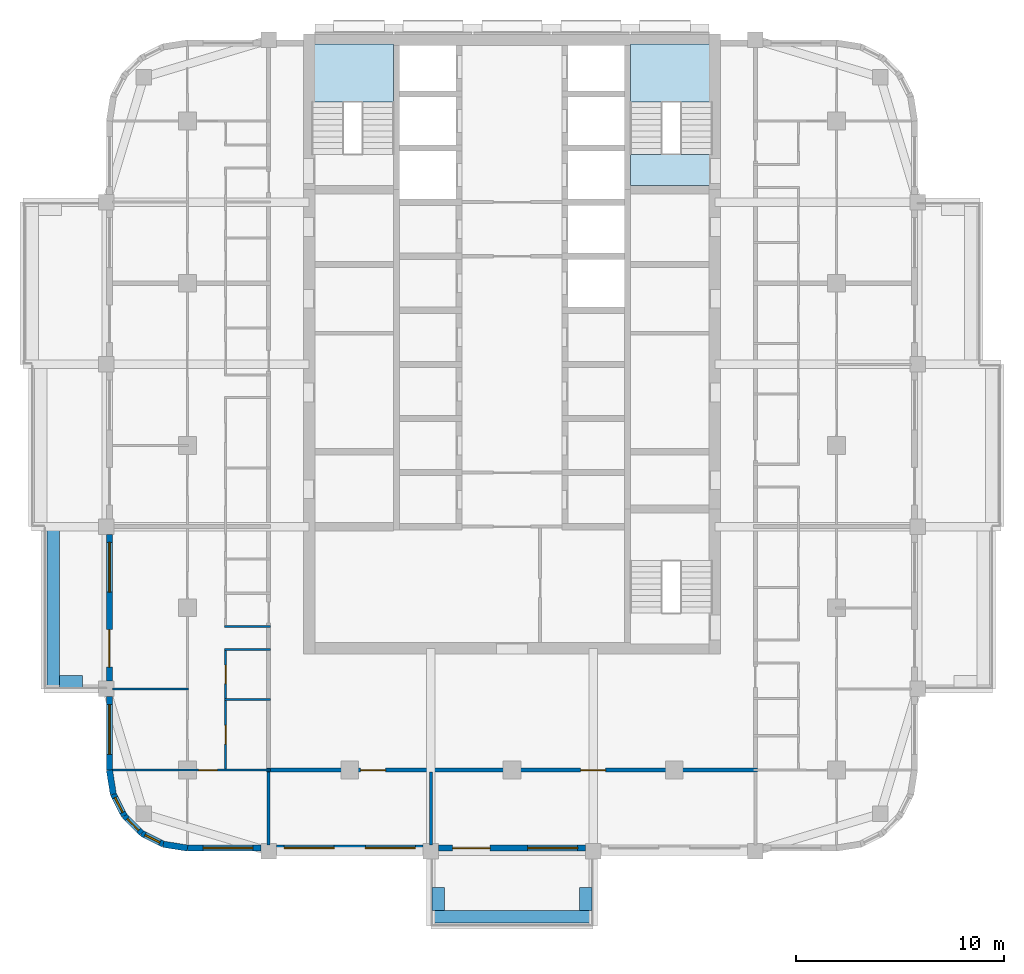
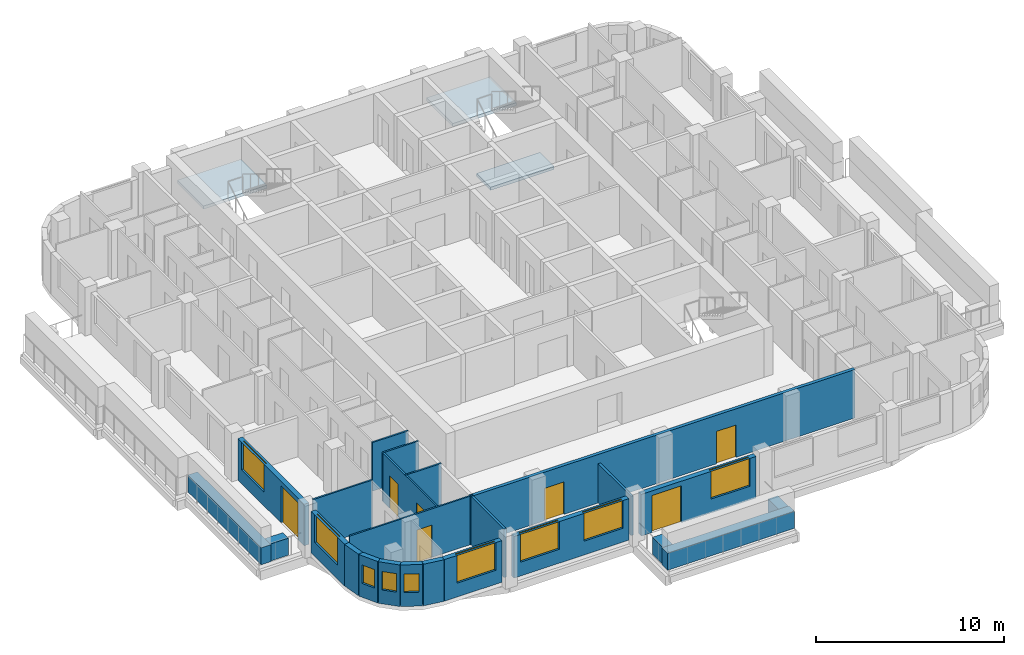
# One storey, part 2 of 13: 24 walls, 9 windows, 7 doors, 3 slabs, 16 openings, 2 elements without a shape of their own.
"""IFC4 building model written with IfcOpenShell, lengths in metres."""

from ifc_helpers import new_model, si_unit, direction, frame, frame_2d, origin, place, context, subcontext, project, spatial, polyline, rectangle, outline, extrude, material, layer, layer_set, type_object, element, fill, aggregate, save


model = new_model("IFC4")

# Units and contexts
model_context = context("Model", 3, precision=1e-05, world=origin(), true_north=direction((0.0, 1.0)))
body_context = subcontext(model_context, "Body", "Model", "MODEL_VIEW")
ifc_project = project(units=[si_unit("LENGTHUNIT", "METRE"), si_unit("AREAUNIT", "SQUARE_METRE"), si_unit("VOLUMEUNIT", "CUBIC_METRE"), si_unit("PLANEANGLEUNIT", "RADIAN"), si_unit("MASSUNIT", "GRAM", prefix="KILO")], contexts=[model_context])

# Site, building, storey
site_placement = place(None, origin())
site = spatial("IfcSite", under=ifc_project, at=site_placement, CompositionType="ELEMENT")
building_placement = place(site_placement, origin())
building = spatial("IfcBuilding", under=site, at=building_placement, Name="Ludao Terraces", CompositionType="ELEMENT")
storey_placement = place(building_placement, frame((0.0, 0.0, 162.199951171875)))
storey = spatial("IfcBuildingStorey", under=building, at=storey_placement, Name="L44", CompositionType="ELEMENT", Elevation=162.199951171875)

# Stair, slab
ifc_material_1 = material(Name="Concrete C40", Category="concrete")
stair_type = type_object("IfcStairType", Name="INT Stair", PredefinedType="HALF_TURN_STAIR", material=ifc_material_1)
stair_1_placement = place(storey_placement, origin())
stair_1 = element("IfcStair", 1, at=stair_1_placement, inside=storey, type_object=stair_type, Name="EXIT STAIR 1", PredefinedType="HALF_TURN_STAIR")
ifc_layer_1 = layer(ifc_material_1, 0.199951171875)
ifc_layer_set_1 = layer_set([ifc_layer_1], Name="INT Stair landing 200")
slab_type = type_object("IfcSlabType", Name="INT Stair landing 200", PredefinedType="LANDING", material=ifc_layer_set_1)
slab_1_placement = place(storey_placement, frame((0.0, 0.0, 1.5)))
slab_1 = element("IfcSlab", 2, at=slab_1_placement, type_object=slab_type, Name="ST1 landing 1", PredefinedType="LANDING", context=body_context, shape_type="SweptSolid", body=[
    extrude(outline(polyline([(75.39990234375, 81.52001953125), (79.300048828125, 81.52001953125), (79.300048828125, 84.300048828125), (75.39990234375, 84.300048828125), (75.39990234375, 81.52001953125)])), origin(), (0.0, 0.0, 1.0), 0.199951171875),
])
aggregate(stair_1, [slab_1])

# Stair, slabs
stair_2_placement = place(storey_placement, origin())
stair_2 = element("IfcStair", 3, at=stair_2_placement, inside=storey, type_object=stair_type, Name="EXIT STAIR 2", PredefinedType="HALF_TURN_STAIR")
slab_2_placement = place(storey_placement, frame((0.0, 0.0, 1.5)))
slab_2 = element("IfcSlab", 4, at=slab_2_placement, type_object=slab_type, Name="ST2 landing 1", PredefinedType="LANDING", context=body_context, shape_type="SweptSolid", body=[
    extrude(outline(polyline([(90.699951171875, 81.52001953125), (94.60009765625, 81.52001953125), (94.60009765625, 84.300048828125), (90.699951171875, 84.300048828125), (90.699951171875, 81.52001953125)])), origin(), (0.0, 0.0, 1.0), 0.199951171875),
])
slab_3_placement = place(storey_placement, frame((0.0, 0.0, -0.199951171875)))
slab_3 = element("IfcSlab", 5, at=slab_3_placement, type_object=slab_type, Name="ST2 landing 2", PredefinedType="LANDING", context=body_context, shape_type="SweptSolid", body=[
    extrude(outline(polyline([(90.699951171875, 77.5), (94.60009765625, 77.5), (94.60009765625, 79.0), (90.699951171875, 79.0), (90.699951171875, 77.5)])), origin(), (0.0, 0.0, 1.0), 0.199951171875),
])
aggregate(stair_2, [slab_2, slab_3])

# Walls
ifc_layer_2 = layer(ifc_material_1, 0.60009765625)
ifc_layer_set_2 = layer_set([ifc_layer_2], Name="ENV Planter trough 600")
wall_type_1 = type_object("IfcWallType", Name="ENV Planter trough 600", PredefinedType="USERDEFINED", material=ifc_layer_set_2)
wall_1_placement = place(storey_placement, frame((81.10009765625, 42.35009765625, 0.0), z_axis=(0.0, 0.0, 1.0), x_axis=(1.0, 0.0, 0.0)))
element("IfcWall", 6, at=wall_1_placement, inside=storey, type_object=wall_type_1, Name="PL-L44-S1", ObjectType="PLANTER", PredefinedType="USERDEFINED", context=body_context, shape_type="SweptSolid", body=[
    extrude(rectangle(XDim=7.7998046875, YDim=0.60009765625, at=frame_2d((3.89990234375, 0.0))), origin(), (0.0, 0.0, 1.0), 1.10009765625),
])
for number, where, z_axis, x_axis, name in (
    (7, (81.449951171875, 42.64990234375, 0.0), (0.0, 0.0, 1.0), (0.0, 1.0, 0.0), "PL-L44-S1-SA"),
    (8, (88.550048828125, 42.64990234375, 0.0), (0.0, 0.0, 1.0), (0.0, 1.0, 0.0), "PL-L44-S1-SB"),
):
    element("IfcWall", number, at=place(storey_placement, frame(where, z_axis=z_axis, x_axis=x_axis)), inside=storey, type_object=wall_type_1, Name=name, ObjectType="PLANTER", PredefinedType="USERDEFINED", context=body_context, shape_type="SweptSolid", body=[
        extrude(rectangle(XDim=1.10009765625, YDim=0.60009765625, at=frame_2d((0.550048828125, 0.0))), origin(), (0.0, 0.0, 1.0), 1.10009765625),
    ])
wall_2_placement = place(storey_placement, frame((62.949951171875, 53.300048828125, 0.0), z_axis=(0.0, 0.0, 1.0), x_axis=(0.0, 1.0, 0.0)))
element("IfcWall", 9, at=wall_2_placement, inside=storey, type_object=wall_type_1, Name="PL-L44-W1", ObjectType="PLANTER", PredefinedType="USERDEFINED", context=body_context, shape_type="SweptSolid", body=[
    extrude(rectangle(XDim=7.800048828125, YDim=0.60009765625, at=frame_2d((3.89990234375, 0.0))), origin(), (0.0, 0.0, 1.0), 1.10009765625),
])
wall_3_placement = place(storey_placement, frame((63.25, 53.64990234375, 0.0), z_axis=(0.0, 0.0, 1.0), x_axis=(1.0, 0.0, 0.0)))
element("IfcWall", 10, at=wall_3_placement, inside=storey, type_object=wall_type_1, Name="PL-L44-W1-SA", ObjectType="PLANTER", PredefinedType="USERDEFINED", context=body_context, shape_type="SweptSolid", body=[
    extrude(rectangle(XDim=1.10009765625, YDim=0.60009765625, at=frame_2d((0.550048828125, 0.0))), origin(), (0.0, 0.0, 1.0), 1.10009765625),
])

# Wall, opening, window
ifc_material_2 = material(Name="Granite cladding", Category="masonry")
ifc_layer_3 = layer(ifc_material_2, 0.0400390625, Category="stone")
ifc_material_3 = material(Name="Mineral wool")
ifc_layer_4 = layer(ifc_material_3, 0.06005859375)
ifc_layer_5 = layer(ifc_material_1, 0.199951171875, Category="concrete")
ifc_layer_set_3 = layer_set([ifc_layer_3, ifc_layer_4, ifc_layer_5], Name="ENV Stone-clad wall 300")
wall_type_2 = type_object("IfcWallType", Name="ENV Stone-clad wall 300", PredefinedType="SOLIDWALL", material=ifc_layer_set_3)
wall_4_placement = place(storey_placement, frame((69.39990234375, 45.64990234375, 0.0), z_axis=(0.0, 0.0, 1.0), x_axis=(1.0, 0.0, 0.0)))
wall_4 = element("IfcWall", 11, at=wall_4_placement, inside=storey, type_object=wall_type_2, Name="EW-L44-S1", PredefinedType="SOLIDWALL", context=body_context, shape_type="SweptSolid", body=[
    extrude(rectangle(XDim=3.525146484375, YDim=0.300048828125, at=frame_2d((1.7626953125, 0.0))), origin(), (0.0, 0.0, 1.0), 2.699951171875),
])
opening_1_placement = place(wall_4_placement, frame((0.75, 0.0, 0.89990234375)))
opening_1 = element("IfcOpeningElement", 12, at=opening_1_placement, cuts=wall_4, Name="Opening W1", PredefinedType="OPENING", context=body_context, shape_type="SweptSolid", body=[
    extrude(rectangle(XDim=2.39990234375, YDim=1.800048828125, at=frame_2d((1.199951171875, 0.89990234375))), frame((0.0, 0.16015625, 0.0), z_axis=(0.0, -1.0, 0.0), x_axis=(1.0, 0.0, 0.0)), (0.0, 0.0, 1.0), 0.320068359375),
])
ifc_material_4 = material(Name="Clear glass in aluminium frame", Category="aluminium")
ifc_layer_6 = layer(ifc_material_4, 0.06005859375)
ifc_layer_set_4 = layer_set([ifc_layer_6], Name="ENV Window W1 2400x1800")
window_type_1 = type_object("IfcWindowType", Name="ENV Window W1 2400x1800", PartitioningType="DOUBLE_PANEL_VERTICAL", PredefinedType="WINDOW", material=ifc_layer_set_4)
window_1_placement = place(opening_1_placement, origin())
window_1 = element("IfcWindow", 13, at=window_1_placement, inside=storey, type_object=window_type_1, Name="W-L44-S1-1", OverallHeight=1.800048828125, OverallWidth=2.39990234375, PartitioningType="DOUBLE_PANEL_VERTICAL", PredefinedType="WINDOW", context=body_context, shape_type="SweptSolid", body=[
    extrude(rectangle(XDim=2.39990234375, YDim=1.800048828125, at=frame_2d((1.199951171875, 0.89990234375))), frame((0.0, 0.030029296875, 0.0), z_axis=(0.0, -1.0, 0.0), x_axis=(1.0, 0.0, 0.0)), (0.0, 0.0, 1.0), 0.06005859375),
])
fill(opening_1, window_1)

# Wall, openings, windows
wall_5_placement = place(storey_placement, frame((73.675048828125, 45.64990234375, 0.0), z_axis=(0.0, 0.0, 1.0), x_axis=(1.0, 0.0, 0.0)))
wall_5 = element("IfcWall", 14, at=wall_5_placement, inside=storey, type_object=wall_type_2, Name="EW-L44-S2", PredefinedType="SOLIDWALL", context=body_context, shape_type="SweptSolid", body=[
    extrude(rectangle(XDim=7.050048828125, YDim=0.300048828125, at=frame_2d((3.52490234375, 0.0))), origin(), (0.0, 0.0, 1.0), 2.699951171875),
])
opening_2_placement = place(wall_5_placement, frame((0.375, 0.0, 0.89990234375)))
opening_2 = element("IfcOpeningElement", 15, at=opening_2_placement, cuts=wall_5, Name="Opening W1", PredefinedType="OPENING", context=body_context, shape_type="SweptSolid", body=[
    extrude(rectangle(XDim=2.39990234375, YDim=1.800048828125, at=frame_2d((1.199951171875, 0.89990234375))), frame((0.0, 0.16015625, 0.0), z_axis=(0.0, -1.0, 0.0), x_axis=(1.0, 0.0, 0.0)), (0.0, 0.0, 1.0), 0.320068359375),
])
opening_3_placement = place(wall_5_placement, frame((4.27490234375, 0.0, 0.89990234375)))
opening_3 = element("IfcOpeningElement", 16, at=opening_3_placement, cuts=wall_5, Name="Opening W1", PredefinedType="OPENING", context=body_context, shape_type="SweptSolid", body=[
    extrude(rectangle(XDim=2.39990234375, YDim=1.800048828125, at=frame_2d((1.199951171875, 0.89990234375))), frame((0.0, 0.16015625, 0.0), z_axis=(0.0, -1.0, 0.0), x_axis=(1.0, 0.0, 0.0)), (0.0, 0.0, 1.0), 0.320068359375),
])
window_2_placement = place(opening_2_placement, origin())
window_2 = element("IfcWindow", 17, at=window_2_placement, inside=storey, type_object=window_type_1, Name="W-L44-S2-1", OverallHeight=1.800048828125, OverallWidth=2.39990234375, PartitioningType="DOUBLE_PANEL_VERTICAL", PredefinedType="WINDOW", context=body_context, shape_type="SweptSolid", body=[
    extrude(rectangle(XDim=2.39990234375, YDim=1.800048828125, at=frame_2d((1.199951171875, 0.89990234375))), frame((0.0, 0.030029296875, 0.0), z_axis=(0.0, -1.0, 0.0), x_axis=(1.0, 0.0, 0.0)), (0.0, 0.0, 1.0), 0.06005859375),
])
fill(opening_2, window_2)
window_3_placement = place(opening_3_placement, origin())
window_3 = element("IfcWindow", 18, at=window_3_placement, inside=storey, type_object=window_type_1, Name="W-L44-S2-2", OverallHeight=1.800048828125, OverallWidth=2.39990234375, PartitioningType="DOUBLE_PANEL_VERTICAL", PredefinedType="WINDOW", context=body_context, shape_type="SweptSolid", body=[
    extrude(rectangle(XDim=2.39990234375, YDim=1.800048828125, at=frame_2d((1.199951171875, 0.89990234375))), frame((0.0, 0.030029296875, 0.0), z_axis=(0.0, -1.0, 0.0), x_axis=(1.0, 0.0, 0.0)), (0.0, 0.0, 1.0), 0.06005859375),
])
fill(opening_3, window_3)

# Wall, openings, door, window
wall_6_placement = place(storey_placement, frame((81.47509765625, 45.64990234375, 0.0), z_axis=(0.0, 0.0, 1.0), x_axis=(1.0, 0.0, 0.0)))
wall_6 = element("IfcWall", 19, at=wall_6_placement, inside=storey, type_object=wall_type_2, Name="EW-L44-S3", PredefinedType="SOLIDWALL", context=body_context, shape_type="SweptSolid", body=[
    extrude(rectangle(XDim=7.0498046875, YDim=0.300048828125, at=frame_2d((3.52490234375, 0.0))), origin(), (0.0, 0.0, 1.0), 2.699951171875),
])
opening_4_placement = place(wall_6_placement, frame((0.675048828125, 0.0, 0.0)))
opening_4 = element("IfcOpeningElement", 20, at=opening_4_placement, cuts=wall_6, Name="Opening BD", PredefinedType="OPENING", context=body_context, shape_type="SweptSolid", body=[
    extrude(rectangle(XDim=1.800048828125, YDim=2.39990234375, at=frame_2d((0.89990234375, 1.199951171875))), frame((0.0, 0.16015625, 0.0), z_axis=(0.0, -1.0, 0.0), x_axis=(1.0, 0.0, 0.0)), (0.0, 0.0, 1.0), 0.320068359375),
])
opening_5_placement = place(wall_6_placement, frame((4.27490234375, 0.0, 0.89990234375)))
opening_5 = element("IfcOpeningElement", 21, at=opening_5_placement, cuts=wall_6, Name="Opening W1", PredefinedType="OPENING", context=body_context, shape_type="SweptSolid", body=[
    extrude(rectangle(XDim=2.39990234375, YDim=1.800048828125, at=frame_2d((1.199951171875, 0.89990234375))), frame((0.0, 0.16015625, 0.0), z_axis=(0.0, -1.0, 0.0), x_axis=(1.0, 0.0, 0.0)), (0.0, 0.0, 1.0), 0.320068359375),
])
ifc_material_5 = material(Name="Aluminium glazed door", Category="aluminium")
ifc_layer_7 = layer(ifc_material_5, 0.06005859375)
ifc_layer_set_5 = layer_set([ifc_layer_7], Name="ENV Balcony door BD 1800x2400")
door_type_1 = type_object("IfcDoorType", Name="ENV Balcony door BD 1800x2400", OperationType="DOUBLE_DOOR_SINGLE_SWING", PredefinedType="DOOR", material=ifc_layer_set_5)
door_1_placement = place(opening_4_placement, origin())
door_1 = element("IfcDoor", 22, at=door_1_placement, inside=storey, type_object=door_type_1, Name="BD-L44-S3-1", OperationType="DOUBLE_DOOR_SINGLE_SWING", OverallHeight=2.39990234375, OverallWidth=1.800048828125, PredefinedType="DOOR", context=body_context, shape_type="SweptSolid", body=[
    extrude(rectangle(XDim=1.800048828125, YDim=2.39990234375, at=frame_2d((0.89990234375, 1.199951171875))), frame((0.0, 0.02490234375, 0.0), z_axis=(0.0, -1.0, 0.0), x_axis=(1.0, 0.0, 0.0)), (0.0, 0.0, 1.0), 0.050048828125),
])
fill(opening_4, door_1)
window_4_placement = place(opening_5_placement, origin())
window_4 = element("IfcWindow", 23, at=window_4_placement, inside=storey, type_object=window_type_1, Name="W-L44-S3-2", OverallHeight=1.800048828125, OverallWidth=2.39990234375, PartitioningType="DOUBLE_PANEL_VERTICAL", PredefinedType="WINDOW", context=body_context, shape_type="SweptSolid", body=[
    extrude(rectangle(XDim=2.39990234375, YDim=1.800048828125, at=frame_2d((1.199951171875, 0.89990234375))), frame((0.0, 0.030029296875, 0.0), z_axis=(0.0, -1.0, 0.0), x_axis=(1.0, 0.0, 0.0)), (0.0, 0.0, 1.0), 0.06005859375),
])
fill(opening_5, window_4)

# Wall, opening, window
wall_7_placement = place(storey_placement, frame((65.64990234375, 49.39990234375, 0.0), z_axis=(0.0, 0.0, 1.0), x_axis=(0.0, 1.0, 0.0)))
wall_7 = element("IfcWall", 24, at=wall_7_placement, inside=storey, type_object=wall_type_2, Name="EW-L44-W1", PredefinedType="SOLIDWALL", context=body_context, shape_type="SweptSolid", body=[
    extrude(rectangle(XDim=3.525146484375, YDim=0.300048828125, at=frame_2d((1.7626953125, 0.0))), origin(), (0.0, 0.0, 1.0), 2.699951171875),
])
opening_6_placement = place(wall_7_placement, frame((0.75, 0.0, 0.89990234375)))
opening_6 = element("IfcOpeningElement", 25, at=opening_6_placement, cuts=wall_7, Name="Opening W1", PredefinedType="OPENING", context=body_context, shape_type="SweptSolid", body=[
    extrude(rectangle(XDim=2.39990234375, YDim=1.800048828125, at=frame_2d((1.199951171875, 0.89990234375))), frame((0.0, 0.16015625, 0.0), z_axis=(0.0, -1.0, 0.0), x_axis=(1.0, 0.0, 0.0)), (0.0, 0.0, 1.0), 0.320068359375),
])
window_5_placement = place(opening_6_placement, origin())
window_5 = element("IfcWindow", 26, at=window_5_placement, inside=storey, type_object=window_type_1, Name="W-L44-W1-1", OverallHeight=1.800048828125, OverallWidth=2.39990234375, PartitioningType="DOUBLE_PANEL_VERTICAL", PredefinedType="WINDOW", context=body_context, shape_type="SweptSolid", body=[
    extrude(rectangle(XDim=2.39990234375, YDim=1.800048828125, at=frame_2d((1.199951171875, 0.89990234375))), frame((0.0, 0.030029296875, 0.0), z_axis=(0.0, -1.0, 0.0), x_axis=(1.0, 0.0, 0.0)), (0.0, 0.0, 1.0), 0.06005859375),
])
fill(opening_6, window_5)

# Wall, openings, door, window
wall_8_placement = place(storey_placement, frame((65.64990234375, 53.675048828125, 0.0), z_axis=(0.0, 0.0, 1.0), x_axis=(0.0, 1.0, 0.0)))
wall_8 = element("IfcWall", 27, at=wall_8_placement, inside=storey, type_object=wall_type_2, Name="EW-L44-W2", PredefinedType="SOLIDWALL", context=body_context, shape_type="SweptSolid", body=[
    extrude(rectangle(XDim=7.050048828125, YDim=0.300048828125, at=frame_2d((3.52490234375, 0.0))), origin(), (0.0, 0.0, 1.0), 2.699951171875),
])
opening_7_placement = place(wall_8_placement, frame((0.675048828125, 0.0, 0.0)))
opening_7 = element("IfcOpeningElement", 28, at=opening_7_placement, cuts=wall_8, Name="Opening BD", PredefinedType="OPENING", context=body_context, shape_type="SweptSolid", body=[
    extrude(rectangle(XDim=1.800048828125, YDim=2.39990234375, at=frame_2d((0.89990234375, 1.199951171875))), frame((0.0, 0.16015625, 0.0), z_axis=(0.0, -1.0, 0.0), x_axis=(1.0, 0.0, 0.0)), (0.0, 0.0, 1.0), 0.320068359375),
])
opening_8_placement = place(wall_8_placement, frame((4.27490234375, 0.0, 0.89990234375)))
opening_8 = element("IfcOpeningElement", 29, at=opening_8_placement, cuts=wall_8, Name="Opening W1", PredefinedType="OPENING", context=body_context, shape_type="SweptSolid", body=[
    extrude(rectangle(XDim=2.39990234375, YDim=1.800048828125, at=frame_2d((1.199951171875, 0.89990234375))), frame((0.0, 0.16015625, 0.0), z_axis=(0.0, -1.0, 0.0), x_axis=(1.0, 0.0, 0.0)), (0.0, 0.0, 1.0), 0.320068359375),
])
door_2_placement = place(opening_7_placement, origin())
door_2 = element("IfcDoor", 30, at=door_2_placement, inside=storey, type_object=door_type_1, Name="BD-L44-W2-1", OperationType="DOUBLE_DOOR_SINGLE_SWING", OverallHeight=2.39990234375, OverallWidth=1.800048828125, PredefinedType="DOOR", context=body_context, shape_type="SweptSolid", body=[
    extrude(rectangle(XDim=1.800048828125, YDim=2.39990234375, at=frame_2d((0.89990234375, 1.199951171875))), frame((0.0, 0.02490234375, 0.0), z_axis=(0.0, -1.0, 0.0), x_axis=(1.0, 0.0, 0.0)), (0.0, 0.0, 1.0), 0.050048828125),
])
fill(opening_7, door_2)
window_6_placement = place(opening_8_placement, origin())
window_6 = element("IfcWindow", 31, at=window_6_placement, inside=storey, type_object=window_type_1, Name="W-L44-W2-2", OverallHeight=1.800048828125, OverallWidth=2.39990234375, PartitioningType="DOUBLE_PANEL_VERTICAL", PredefinedType="WINDOW", context=body_context, shape_type="SweptSolid", body=[
    extrude(rectangle(XDim=2.39990234375, YDim=1.800048828125, at=frame_2d((1.199951171875, 0.89990234375))), frame((0.0, 0.030029296875, 0.0), z_axis=(0.0, -1.0, 0.0), x_axis=(1.0, 0.0, 0.0)), (0.0, 0.0, 1.0), 0.06005859375),
])
fill(opening_8, window_6)

# Wall
wall_9_placement = place(storey_placement, frame((65.64990234375, 49.39990234375, 0.0), z_axis=(0.0, 0.0, 1.0), x_axis=(0.156496880861, -0.987678452879, 0.0)))
element("IfcWall", 32, at=wall_9_placement, inside=storey, type_object=wall_type_2, Name="EW-L44-SW1", PredefinedType="SOLIDWALL", context=body_context, shape_type="SweptSolid", body=[
    extrude(rectangle(XDim=1.173095703125, YDim=0.300048828125, at=frame_2d((0.58642578125, 0.0))), origin(), (0.0, 0.0, 1.0), 2.699951171875),
])

# Wall, opening, window
wall_10_placement = place(storey_placement, frame((65.83349609375, 48.2412109375, 0.0), z_axis=(0.0, 0.0, 1.0), x_axis=(0.454025524128, -0.890988677504, 0.0)))
wall_10 = element("IfcWall", 33, at=wall_10_placement, inside=storey, type_object=wall_type_2, Name="EW-L44-SW2", PredefinedType="SOLIDWALL", context=body_context, shape_type="SweptSolid", body=[
    extrude(rectangle(XDim=1.17333984375, YDim=0.300048828125, at=frame_2d((0.586669921875, 0.0))), origin(), (0.0, 0.0, 1.0), 2.699951171875),
])
opening_9_placement = place(wall_10_placement, frame((0.1865234375, 0.0, 0.89990234375)))
opening_9 = element("IfcOpeningElement", 34, at=opening_9_placement, cuts=wall_10, Name="Opening W3", PredefinedType="OPENING", context=body_context, shape_type="SweptSolid", body=[
    extrude(rectangle(XDim=0.800048828125, YDim=1.199951171875, at=frame_2d((0.39990234375, 0.60009765625))), frame((0.0, 0.16015625, 0.0), z_axis=(0.0, -1.0, 0.0), x_axis=(1.0, 0.0, 0.0)), (0.0, 0.0, 1.0), 0.320068359375),
])
ifc_layer_8 = layer(ifc_material_4, 0.06005859375)
ifc_layer_set_6 = layer_set([ifc_layer_8], Name="ENV Window W3 800x1200")
window_type_2 = type_object("IfcWindowType", Name="ENV Window W3 800x1200", PartitioningType="SINGLE_PANEL", PredefinedType="WINDOW", material=ifc_layer_set_6)
window_7_placement = place(opening_9_placement, origin())
window_7 = element("IfcWindow", 35, at=window_7_placement, inside=storey, type_object=window_type_2, Name="W-L44-SW2", OverallHeight=1.199951171875, OverallWidth=0.800048828125, PartitioningType="SINGLE_PANEL", PredefinedType="WINDOW", context=body_context, shape_type="SweptSolid", body=[
    extrude(rectangle(XDim=0.800048828125, YDim=1.199951171875, at=frame_2d((0.39990234375, 0.60009765625))), frame((0.0, 0.030029296875, 0.0), z_axis=(0.0, -1.0, 0.0), x_axis=(1.0, 0.0, 0.0)), (0.0, 0.0, 1.0), 0.06005859375),
])
fill(opening_9, window_7)

wall_11_placement = place(storey_placement, frame((66.3662109375, 47.19580078125, 0.0), z_axis=(0.0, 0.0, 1.0), x_axis=(0.707106781187, -0.707106781187, 0.0)))
wall_11 = element("IfcWall", 36, at=wall_11_placement, inside=storey, type_object=wall_type_2, Name="EW-L44-SW3", PredefinedType="SOLIDWALL", context=body_context, shape_type="SweptSolid", body=[
    extrude(rectangle(XDim=1.173095703125, YDim=0.300048828125, at=frame_2d((0.58642578125, 0.0))), origin(), (0.0, 0.0, 1.0), 2.699951171875),
])
opening_10_placement = place(wall_11_placement, frame((0.1865234375, 0.0, 0.89990234375)))
opening_10 = element("IfcOpeningElement", 37, at=opening_10_placement, cuts=wall_11, Name="Opening W3", PredefinedType="OPENING", context=body_context, shape_type="SweptSolid", body=[
    extrude(rectangle(XDim=0.800048828125, YDim=1.199951171875, at=frame_2d((0.39990234375, 0.60009765625))), frame((0.0, 0.16015625, 0.0), z_axis=(0.0, -1.0, 0.0), x_axis=(1.0, 0.0, 0.0)), (0.0, 0.0, 1.0), 0.320068359375),
])
window_8_placement = place(opening_10_placement, origin())
window_8 = element("IfcWindow", 38, at=window_8_placement, inside=storey, type_object=window_type_2, Name="W-L44-SW3", OverallHeight=1.199951171875, OverallWidth=0.800048828125, PartitioningType="SINGLE_PANEL", PredefinedType="WINDOW", context=body_context, shape_type="SweptSolid", body=[
    extrude(rectangle(XDim=0.800048828125, YDim=1.199951171875, at=frame_2d((0.39990234375, 0.60009765625))), frame((0.0, 0.030029296875, 0.0), z_axis=(0.0, -1.0, 0.0), x_axis=(1.0, 0.0, 0.0)), (0.0, 0.0, 1.0), 0.06005859375),
])
fill(opening_10, window_8)

wall_12_placement = place(storey_placement, frame((67.19580078125, 46.3662109375, 0.0), z_axis=(0.0, 0.0, 1.0), x_axis=(0.890988677504, -0.454025524128, 0.0)))
wall_12 = element("IfcWall", 39, at=wall_12_placement, inside=storey, type_object=wall_type_2, Name="EW-L44-SW4", PredefinedType="SOLIDWALL", context=body_context, shape_type="SweptSolid", body=[
    extrude(rectangle(XDim=1.17333984375, YDim=0.300048828125, at=frame_2d((0.586669921875, 0.0))), origin(), (0.0, 0.0, 1.0), 2.699951171875),
])
opening_11_placement = place(wall_12_placement, frame((0.1865234375, 0.0, 0.89990234375)))
opening_11 = element("IfcOpeningElement", 40, at=opening_11_placement, cuts=wall_12, Name="Opening W3", PredefinedType="OPENING", context=body_context, shape_type="SweptSolid", body=[
    extrude(rectangle(XDim=0.800048828125, YDim=1.199951171875, at=frame_2d((0.39990234375, 0.60009765625))), frame((0.0, 0.16015625, 0.0), z_axis=(0.0, -1.0, 0.0), x_axis=(1.0, 0.0, 0.0)), (0.0, 0.0, 1.0), 0.320068359375),
])
window_9_placement = place(opening_11_placement, origin())
window_9 = element("IfcWindow", 41, at=window_9_placement, inside=storey, type_object=window_type_2, Name="W-L44-SW4", OverallHeight=1.199951171875, OverallWidth=0.800048828125, PartitioningType="SINGLE_PANEL", PredefinedType="WINDOW", context=body_context, shape_type="SweptSolid", body=[
    extrude(rectangle(XDim=0.800048828125, YDim=1.199951171875, at=frame_2d((0.39990234375, 0.60009765625))), frame((0.0, 0.030029296875, 0.0), z_axis=(0.0, -1.0, 0.0), x_axis=(1.0, 0.0, 0.0)), (0.0, 0.0, 1.0), 0.06005859375),
])
fill(opening_11, window_9)

# Wall
wall_13_placement = place(storey_placement, frame((68.2412109375, 45.83349609375, 0.0), z_axis=(0.0, 0.0, 1.0), x_axis=(0.987678452879, -0.156496880861, 0.0)))
element("IfcWall", 42, at=wall_13_placement, inside=storey, type_object=wall_type_2, Name="EW-L44-SW5", PredefinedType="SOLIDWALL", context=body_context, shape_type="SweptSolid", body=[
    extrude(rectangle(XDim=1.173095703125, YDim=0.300048828125, at=frame_2d((0.58642578125, 0.0))), origin(), (0.0, 0.0, 1.0), 2.699951171875),
])

# Wall, openings, doors
ifc_material_6 = material(Name="Autoclaved aerated concrete block B06 A3.5", Category="concrete")
ifc_layer_9 = layer(ifc_material_6, 0.199951171875)
ifc_layer_set_7 = layer_set([ifc_layer_9], Name="INT Entrance wall 200")
wall_type_3 = type_object("IfcWallType", Name="INT Entrance wall 200", PredefinedType="PARTITIONING", material=ifc_layer_set_7)
wall_14_placement = place(storey_placement, frame((73.2001953125, 49.39990234375, 0.0), z_axis=(0.0, 0.0, 1.0), x_axis=(1.0, 0.0, 0.0)))
wall_14 = element("IfcWall", 43, at=wall_14_placement, inside=storey, type_object=wall_type_3, Name="PW-L44-PW001", PredefinedType="PARTITIONING", context=body_context, shape_type="SweptSolid", body=[
    extrude(rectangle(XDim=23.599853515625, YDim=0.199951171875, at=frame_2d((11.7998046875, 0.0))), origin(), (0.0, 0.0, 1.0), 3.150146484375),
])
opening_12_placement = place(wall_14_placement, frame((4.52490234375, 0.0, 0.0)))
opening_12 = element("IfcOpeningElement", 44, at=opening_12_placement, cuts=wall_14, Name="Opening R15-004", PredefinedType="OPENING", context=body_context, shape_type="SweptSolid", body=[
    extrude(rectangle(XDim=1.199951171875, YDim=2.10009765625, at=frame_2d((0.60009765625, 1.050048828125))), frame((0.0, 0.10986328125, 0.0), z_axis=(0.0, -1.0, 0.0), x_axis=(1.0, 0.0, 0.0)), (0.0, 0.0, 1.0), 0.219970703125),
])
opening_13_placement = place(wall_14_placement, frame((15.099853515625, 0.0, 0.0)))
opening_13 = element("IfcOpeningElement", 45, at=opening_13_placement, cuts=wall_14, Name="Opening R15-005", PredefinedType="OPENING", context=body_context, shape_type="SweptSolid", body=[
    extrude(rectangle(XDim=1.199951171875, YDim=2.10009765625, at=frame_2d((0.60009765625, 1.050048828125))), frame((0.0, 0.10986328125, 0.0), z_axis=(0.0, -1.0, 0.0), x_axis=(1.0, 0.0, 0.0)), (0.0, 0.0, 1.0), 0.219970703125),
])
ifc_material_7 = material(Name="Timber door leaf", Category="wood")
door_type_2 = type_object("IfcDoorType", Name="INT Double door 1200", OperationType="DOUBLE_DOOR_SINGLE_SWING", PredefinedType="DOOR", material=ifc_material_7)
door_3_placement = place(opening_12_placement, origin())
door_3 = element("IfcDoor", 46, at=door_3_placement, inside=storey, type_object=door_type_2, Name="DOOR 004", OperationType="DOUBLE_DOOR_SINGLE_SWING", OverallHeight=2.10009765625, OverallWidth=1.199951171875, PredefinedType="DOOR", context=body_context, shape_type="SweptSolid", body=[
    extrude(rectangle(XDim=1.199951171875, YDim=2.10009765625, at=frame_2d((0.60009765625, 1.050048828125))), frame((0.0, 0.02490234375, 0.0), z_axis=(0.0, -1.0, 0.0), x_axis=(1.0, 0.0, 0.0)), (0.0, 0.0, 1.0), 0.050048828125),
])
fill(opening_12, door_3)
door_4_placement = place(opening_13_placement, origin())
door_4 = element("IfcDoor", 47, at=door_4_placement, inside=storey, type_object=door_type_2, Name="DOOR 005", OperationType="DOUBLE_DOOR_SINGLE_SWING", OverallHeight=2.10009765625, OverallWidth=1.199951171875, PredefinedType="DOOR", context=body_context, shape_type="SweptSolid", body=[
    extrude(rectangle(XDim=1.199951171875, YDim=2.10009765625, at=frame_2d((0.60009765625, 1.050048828125))), frame((0.0, 0.02490234375, 0.0), z_axis=(0.0, -1.0, 0.0), x_axis=(1.0, 0.0, 0.0)), (0.0, 0.0, 1.0), 0.050048828125),
])
fill(opening_13, door_4)

# Wall, opening, door
ifc_material_8 = material(Name="Gypsum plasterboard", Category="gypsum")
ifc_layer_10 = layer(ifc_material_8, 0.012451171875, Category="gypsum")
ifc_layer_11 = layer(ifc_material_3, 0.06005859375, Name="insulation")
ifc_material_9 = material(Name="Steel Q235", Category="steel")
ifc_layer_12 = layer(ifc_material_9, 0.014892578125, Name="stud")
ifc_layer_13 = layer(ifc_material_8, 0.012451171875, Category="gypsum")
ifc_layer_set_8 = layer_set([ifc_layer_10, ifc_layer_11, ifc_layer_12, ifc_layer_13], Name="INT Partition 100")
wall_type_4 = type_object("IfcWallType", Name="INT Partition 100", PredefinedType="PARTITIONING", material=ifc_layer_set_8)
wall_15_placement = place(storey_placement, frame((65.800048828125, 49.39990234375, 0.0), z_axis=(0.0, 0.0, 1.0), x_axis=(1.0, 0.0, 0.0)))
wall_15 = element("IfcWall", 48, at=wall_15_placement, inside=storey, type_object=wall_type_4, Name="PW-L44-PW000", PredefinedType="PARTITIONING", context=body_context, shape_type="SweptSolid", body=[
    extrude(rectangle(XDim=7.60009765625, YDim=0.10009765625, at=frame_2d((3.800048828125, 0.0))), origin(), (0.0, 0.0, 1.0), 3.150146484375),
])
opening_14_placement = place(wall_15_placement, frame((4.139892578125, 0.0, 0.0)))
opening_14 = element("IfcOpeningElement", 49, at=opening_14_placement, cuts=wall_15, Name="Opening R15-003", PredefinedType="OPENING", context=body_context, shape_type="SweptSolid", body=[
    extrude(rectangle(XDim=0.89990234375, YDim=2.10009765625, at=frame_2d((0.449951171875, 1.050048828125))), frame((0.0, 0.06005859375, 0.0), z_axis=(0.0, -1.0, 0.0), x_axis=(1.0, 0.0, 0.0)), (0.0, 0.0, 1.0), 0.1201171875),
])
door_type_3 = type_object("IfcDoorType", Name="INT Room door 900", OperationType="SINGLE_SWING_LEFT", PredefinedType="DOOR", material=ifc_material_7)
door_5_placement = place(opening_14_placement, origin())
door_5 = element("IfcDoor", 50, at=door_5_placement, inside=storey, type_object=door_type_3, Name="DOOR 003", OperationType="SINGLE_SWING_RIGHT", OverallHeight=2.10009765625, OverallWidth=0.89990234375, PredefinedType="DOOR", context=body_context, shape_type="SweptSolid", body=[
    extrude(rectangle(XDim=0.89990234375, YDim=2.10009765625, at=frame_2d((0.449951171875, 1.050048828125))), frame((0.0, 0.02490234375, 0.0), z_axis=(0.0, -1.0, 0.0), x_axis=(1.0, 0.0, 0.0)), (0.0, 0.0, 1.0), 0.050048828125),
])
fill(opening_14, door_5)

# Walls
wall_16_placement = place(storey_placement, frame((71.18017578125, 52.800048828125, 0.0), z_axis=(0.0, 0.0, 1.0), x_axis=(1.0, 0.0, 0.0)))
element("IfcWall", 51, at=wall_16_placement, inside=storey, type_object=wall_type_4, Name="PW-L44-PW004", PredefinedType="PARTITIONING", context=body_context, shape_type="SweptSolid", body=[
    extrude(rectangle(XDim=2.219970703125, YDim=0.10009765625, at=frame_2d((1.10986328125, 0.0))), origin(), (0.0, 0.0, 1.0), 3.150146484375),
])
wall_17_placement = place(storey_placement, frame((65.800048828125, 53.300048828125, 0.0), z_axis=(0.0, 0.0, 1.0), x_axis=(1.0, 0.0, 0.0)))
element("IfcWall", 52, at=wall_17_placement, inside=storey, type_object=wall_type_4, Name="PW-L44-PW006", PredefinedType="PARTITIONING", context=body_context, shape_type="SweptSolid", body=[
    extrude(rectangle(XDim=3.650146484375, YDim=0.10009765625, at=frame_2d((1.8251953125, 0.0))), origin(), (0.0, 0.0, 1.0), 3.150146484375),
])
for number, where, z_axis, x_axis, name in (
    (53, (71.18017578125, 55.199951171875, 0.0), (0.0, 0.0, 1.0), (1.0, 0.0, 0.0), "PW-L44-PW009"),
    (54, (71.18017578125, 56.300048828125, 0.0), (0.0, 0.0, 1.0), (1.0, 0.0, 0.0), "PW-L44-PW011"),
):
    element("IfcWall", number, at=place(storey_placement, frame(where, z_axis=z_axis, x_axis=x_axis)), inside=storey, type_object=wall_type_4, Name=name, PredefinedType="PARTITIONING", context=body_context, shape_type="SweptSolid", body=[
        extrude(rectangle(XDim=2.219970703125, YDim=0.10009765625, at=frame_2d((1.10986328125, 0.0))), origin(), (0.0, 0.0, 1.0), 3.150146484375),
    ])

# Wall, openings, doors
wall_18_placement = place(storey_placement, frame((71.22998046875, 49.4501953125, 0.0), z_axis=(0.0, 0.0, 1.0), x_axis=(0.0, 1.0, 0.0)))
wall_18 = element("IfcWall", 55, at=wall_18_placement, inside=storey, type_object=wall_type_4, Name="PW-L44-PW047", PredefinedType="PARTITIONING", context=body_context, shape_type="SweptSolid", body=[
    extrude(rectangle(XDim=5.699951171875, YDim=0.10009765625, at=frame_2d((2.85009765625, 0.0))), origin(), (0.0, 0.0, 1.0), 3.150146484375),
])
opening_15_placement = place(wall_18_placement, frame((1.199951171875, 0.0, 0.0)))
opening_15 = element("IfcOpeningElement", 56, at=opening_15_placement, cuts=wall_18, Name="Opening R15-008", PredefinedType="OPENING", context=body_context, shape_type="SweptSolid", body=[
    extrude(rectangle(XDim=0.89990234375, YDim=2.10009765625, at=frame_2d((0.449951171875, 1.050048828125))), frame((0.0, 0.06005859375, 0.0), z_axis=(0.0, -1.0, 0.0), x_axis=(1.0, 0.0, 0.0)), (0.0, 0.0, 1.0), 0.1201171875),
])
opening_16_placement = place(wall_18_placement, frame((4.099853515625, 0.0, 0.0)))
opening_16 = element("IfcOpeningElement", 57, at=opening_16_placement, cuts=wall_18, Name="Opening R15-014", PredefinedType="OPENING", context=body_context, shape_type="SweptSolid", body=[
    extrude(rectangle(XDim=0.89990234375, YDim=2.10009765625, at=frame_2d((0.449951171875, 1.050048828125))), frame((0.0, 0.06005859375, 0.0), z_axis=(0.0, -1.0, 0.0), x_axis=(1.0, 0.0, 0.0)), (0.0, 0.0, 1.0), 0.1201171875),
])
door_type_4 = type_object("IfcDoorType", Name="INT Bathroom door 900", OperationType="SINGLE_SWING_LEFT", PredefinedType="DOOR", material=ifc_material_7)
door_6_placement = place(opening_16_placement, origin())
door_6 = element("IfcDoor", 58, at=door_6_placement, inside=storey, type_object=door_type_4, Name="DOOR 014", OperationType="SINGLE_SWING_RIGHT", OverallHeight=2.10009765625, OverallWidth=0.89990234375, PredefinedType="DOOR", context=body_context, shape_type="SweptSolid", body=[
    extrude(rectangle(XDim=0.89990234375, YDim=2.10009765625, at=frame_2d((0.449951171875, 1.050048828125))), frame((0.0, 0.02490234375, 0.0), z_axis=(0.0, -1.0, 0.0), x_axis=(1.0, 0.0, 0.0)), (0.0, 0.0, 1.0), 0.050048828125),
])
fill(opening_16, door_6)
door_7_placement = place(opening_15_placement, origin())
door_7 = element("IfcDoor", 59, at=door_7_placement, inside=storey, type_object=door_type_3, Name="DOOR 008", OperationType="SINGLE_SWING_LEFT", OverallHeight=2.10009765625, OverallWidth=0.89990234375, PredefinedType="DOOR", context=body_context, shape_type="SweptSolid", body=[
    extrude(rectangle(XDim=0.89990234375, YDim=2.10009765625, at=frame_2d((0.449951171875, 1.050048828125))), frame((0.0, 0.02490234375, 0.0), z_axis=(0.0, -1.0, 0.0), x_axis=(1.0, 0.0, 0.0)), (0.0, 0.0, 1.0), 0.050048828125),
])
fill(opening_15, door_7)

# Walls
ifc_layer_14 = layer(ifc_material_6, 0.14990234375)
ifc_layer_set_9 = layer_set([ifc_layer_14], Name="INT Party wall 150")
wall_type_5 = type_object("IfcWallType", Name="INT Party wall 150", PredefinedType="PARTITIONING", material=ifc_layer_set_9)
wall_19_placement = place(storey_placement, frame((73.300048828125, 45.800048828125, 0.0), z_axis=(0.0, 0.0, 1.0), x_axis=(0.0, 1.0, 0.0)))
element("IfcWall", 60, at=wall_19_placement, inside=storey, type_object=wall_type_5, Name="PW-L44-PW051", PredefinedType="PARTITIONING", context=body_context, shape_type="SweptSolid", body=[
    extrude(rectangle(XDim=3.5, YDim=0.14990234375, at=frame_2d((1.75, 0.0))), origin(), (0.0, 0.0, 1.0), 3.150146484375),
])
wall_20_placement = place(storey_placement, frame((81.10009765625, 45.800048828125, 0.0), z_axis=(0.0, 0.0, 1.0), x_axis=(0.0, 1.0, 0.0)))
element("IfcWall", 61, at=wall_20_placement, inside=storey, type_object=wall_type_5, Name="PW-L44-PW053", PredefinedType="PARTITIONING", context=body_context, shape_type="SweptSolid", body=[
    extrude(rectangle(XDim=3.5, YDim=0.14990234375, at=frame_2d((1.75, 0.0))), origin(), (0.0, 0.0, 1.0), 2.550048828125),
])

save(model, "model.ifc")
